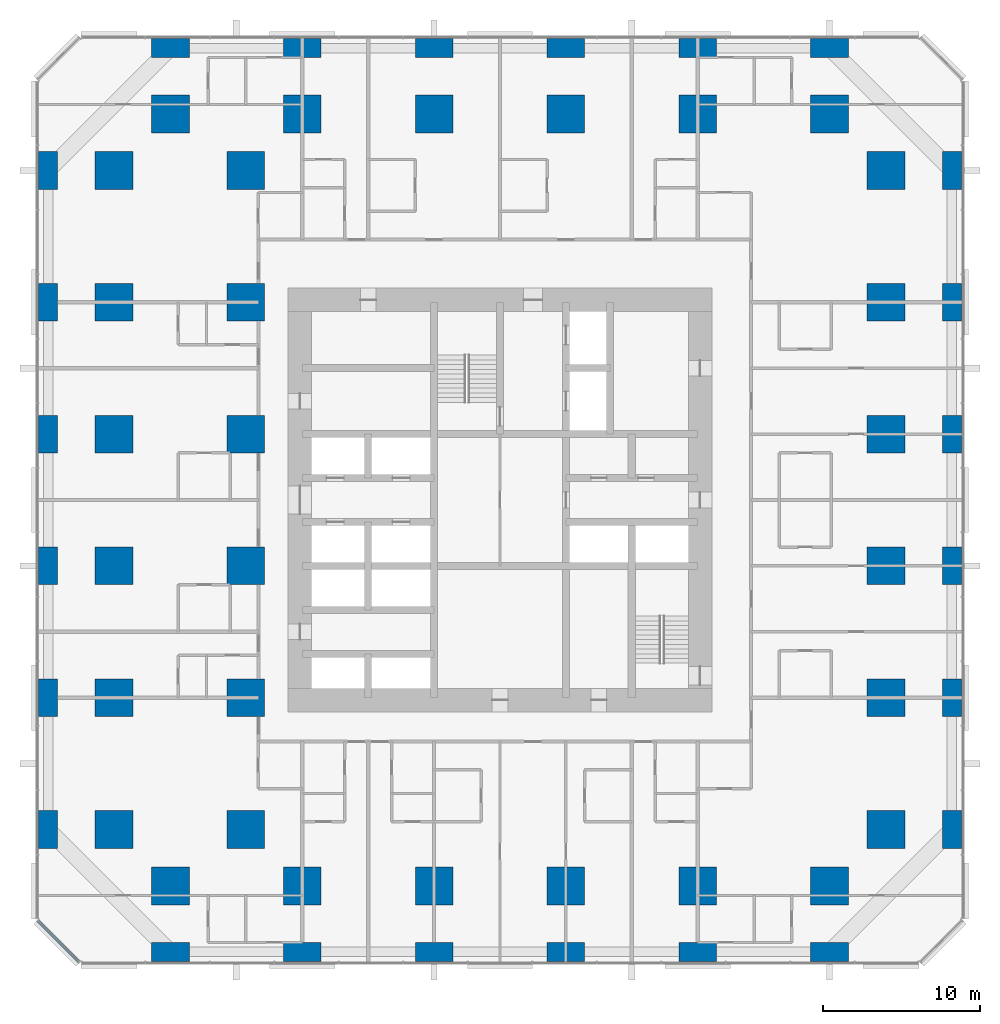
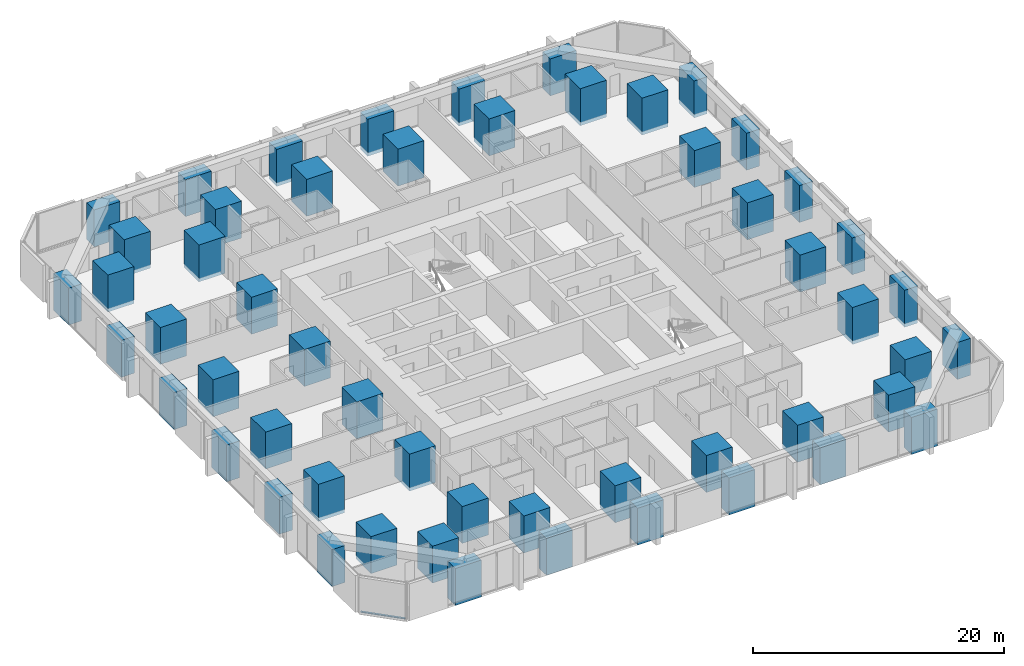
# One storey, part 1 of 17: 54 columns, 1 member, 1 element without a shape of its own.
"""IFC4 building model written with IfcOpenShell, lengths in metres."""

from ifc_helpers import new_model, si_unit, direction, frame, origin, origin_2d, place, context, subcontext, project, spatial, rectangle, extrude, material, material_profile, profile_set, type_object, element, aggregate, save


model = new_model("IFC4")

# Units and contexts
model_context = context("Model", 3, precision=1e-05, world=origin(), true_north=direction((0.0, 1.0)))
body_context = subcontext(model_context, "Body", "Model", "MODEL_VIEW")
ifc_project = project(units=[si_unit("LENGTHUNIT", "METRE"), si_unit("AREAUNIT", "SQUARE_METRE"), si_unit("VOLUMEUNIT", "CUBIC_METRE"), si_unit("PLANEANGLEUNIT", "RADIAN"), si_unit("MASSUNIT", "GRAM", prefix="KILO")], contexts=[model_context])

# Site, building, storey
site_placement = place(None, origin())
site = spatial("IfcSite", under=ifc_project, at=site_placement, CompositionType="ELEMENT")
building_placement = place(site_placement, origin())
building = spatial("IfcBuilding", under=site, at=building_placement, Name="Dunama Terrace Hotel", CompositionType="ELEMENT")
storey_placement = place(building_placement, frame((0.0, 0.0, 81.0)))
storey = spatial("IfcBuildingStorey", under=building, at=storey_placement, Name="L20", CompositionType="ELEMENT", Elevation=81.0)

# Columns
ifc_material_1 = material(Name="Concrete C60/75", Category="concrete")
ifc_material_profile_1 = material_profile(ifc_material_1, rectangle(XDim=1.199951171875, YDim=2.39990234375, at=origin_2d()), Name="RC 1200x2400")
ifc_profile_set_1 = profile_set([ifc_material_profile_1], Name="Concrete C60/75")
column_type_1 = type_object("IfcColumnType", Name="Column RC 1200x2400", PredefinedType="COLUMN", material=ifc_profile_set_1)
for number, where, z_axis, x_axis, name in (
    (1, (0.60009765625, 8.39990234375, -0.35009765625), (0.0, 0.0, 1.0), (1.0, 0.0, 0.0), "Column L20 +0.6/+8.4"),
    (2, (0.60009765625, 16.800048828125, -0.35009765625), (0.0, 0.0, 1.0), (1.0, 0.0, 0.0), "Column L20 +0.6/+16.8"),
    (3, (0.60009765625, 25.199951171875, -0.35009765625), (0.0, 0.0, 1.0), (1.0, 0.0, 0.0), "Column L20 +0.6/+25.2"),
    (4, (0.60009765625, 33.60009765625, -0.35009765625), (0.0, 0.0, 1.0), (1.0, 0.0, 0.0), "Column L20 +0.6/+33.6"),
    (5, (0.60009765625, 42.0, -0.35009765625), (0.0, 0.0, 1.0), (1.0, 0.0, 0.0), "Column L20 +0.6/+42.0"),
    (6, (0.60009765625, 50.39990234375, -0.35009765625), (0.0, 0.0, 1.0), (1.0, 0.0, 0.0), "Column L20 +0.6/+50.4"),
    (7, (58.199951171875, 8.39990234375, -0.35009765625), (0.0, 0.0, 1.0), (1.0, 0.0, 0.0), "Column L20 +58.2/+8.4"),
    (8, (58.199951171875, 16.800048828125, -0.35009765625), (0.0, 0.0, 1.0), (1.0, 0.0, 0.0), "Column L20 +58.2/+16.8"),
    (9, (58.199951171875, 25.199951171875, -0.35009765625), (0.0, 0.0, 1.0), (1.0, 0.0, 0.0), "Column L20 +58.2/+25.2"),
    (10, (58.199951171875, 33.60009765625, -0.35009765625), (0.0, 0.0, 1.0), (1.0, 0.0, 0.0), "Column L20 +58.2/+33.6"),
    (11, (58.199951171875, 42.0, -0.35009765625), (0.0, 0.0, 1.0), (1.0, 0.0, 0.0), "Column L20 +58.2/+42.0"),
    (12, (58.199951171875, 50.39990234375, -0.35009765625), (0.0, 0.0, 1.0), (1.0, 0.0, 0.0), "Column L20 +58.2/+50.4"),
):
    element("IfcColumn", number, at=place(storey_placement, frame(where, z_axis=z_axis, x_axis=x_axis)), inside=storey, type_object=column_type_1, Name=name, PredefinedType="COLUMN", context=body_context, shape_type="SweptSolid", body=[
        extrude(rectangle(XDim=1.199951171875, YDim=2.39990234375, at=origin_2d()), origin(), (0.0, 0.0, 1.0), 3.60009765625),
    ])
ifc_material_2 = material(Name="Concrete C60/75", Category="concrete")
ifc_material_profile_2 = material_profile(ifc_material_2, rectangle(XDim=2.39990234375, YDim=1.199951171875, at=origin_2d()), Name="RC 2400x1200")
ifc_profile_set_2 = profile_set([ifc_material_profile_2], Name="Concrete C60/75")
column_type_2 = type_object("IfcColumnType", Name="Column RC 2400x1200", PredefinedType="COLUMN", material=ifc_profile_set_2)
for number, where, z_axis, x_axis, name in (
    (13, (8.39990234375, 0.60009765625, -0.35009765625), (0.0, 0.0, 1.0), (1.0, 0.0, 0.0), "Column L20 +8.4/+0.6"),
    (14, (8.39990234375, 58.199951171875, -0.35009765625), (0.0, 0.0, 1.0), (1.0, 0.0, 0.0), "Column L20 +8.4/+58.2"),
    (15, (16.800048828125, 0.60009765625, -0.35009765625), (0.0, 0.0, 1.0), (1.0, 0.0, 0.0), "Column L20 +16.8/+0.6"),
    (16, (16.800048828125, 58.199951171875, -0.35009765625), (0.0, 0.0, 1.0), (1.0, 0.0, 0.0), "Column L20 +16.8/+58.2"),
    (17, (25.199951171875, 0.60009765625, -0.35009765625), (0.0, 0.0, 1.0), (1.0, 0.0, 0.0), "Column L20 +25.2/+0.6"),
    (18, (25.199951171875, 58.199951171875, -0.35009765625), (0.0, 0.0, 1.0), (1.0, 0.0, 0.0), "Column L20 +25.2/+58.2"),
    (19, (33.60009765625, 0.60009765625, -0.35009765625), (0.0, 0.0, 1.0), (1.0, 0.0, 0.0), "Column L20 +33.6/+0.6"),
    (20, (33.60009765625, 58.199951171875, -0.35009765625), (0.0, 0.0, 1.0), (1.0, 0.0, 0.0), "Column L20 +33.6/+58.2"),
    (21, (42.0, 0.60009765625, -0.35009765625), (0.0, 0.0, 1.0), (1.0, 0.0, 0.0), "Column L20 +42.0/+0.6"),
    (22, (42.0, 58.199951171875, -0.35009765625), (0.0, 0.0, 1.0), (1.0, 0.0, 0.0), "Column L20 +42.0/+58.2"),
    (23, (50.39990234375, 0.60009765625, -0.35009765625), (0.0, 0.0, 1.0), (1.0, 0.0, 0.0), "Column L20 +50.4/+0.6"),
    (24, (50.39990234375, 58.199951171875, -0.35009765625), (0.0, 0.0, 1.0), (1.0, 0.0, 0.0), "Column L20 +50.4/+58.2"),
):
    element("IfcColumn", number, at=place(storey_placement, frame(where, z_axis=z_axis, x_axis=x_axis)), inside=storey, type_object=column_type_2, Name=name, PredefinedType="COLUMN", context=body_context, shape_type="SweptSolid", body=[
        extrude(rectangle(XDim=2.39990234375, YDim=1.199951171875, at=origin_2d()), origin(), (0.0, 0.0, 1.0), 3.60009765625),
    ])
ifc_material_3 = material(Name="Concrete C60/75", Category="concrete")
ifc_material_profile_3 = material_profile(ifc_material_3, rectangle(XDim=2.39990234375, YDim=2.39990234375, at=origin_2d()), Name="RC 2400x2400")
ifc_profile_set_3 = profile_set([ifc_material_profile_3], Name="Concrete C60/75")
column_type_3 = type_object("IfcColumnType", Name="Column RC 2400x2400", PredefinedType="COLUMN", material=ifc_profile_set_3)
for number, where, z_axis, x_axis, name in (
    (25, (4.800048828125, 8.39990234375, -0.35009765625), (0.0, 0.0, 1.0), (1.0, 0.0, 0.0), "Column L20 +4.8/+8.4"),
    (26, (4.800048828125, 16.800048828125, -0.35009765625), (0.0, 0.0, 1.0), (1.0, 0.0, 0.0), "Column L20 +4.8/+16.8"),
    (27, (4.800048828125, 25.199951171875, -0.35009765625), (0.0, 0.0, 1.0), (1.0, 0.0, 0.0), "Column L20 +4.8/+25.2"),
    (28, (4.800048828125, 33.60009765625, -0.35009765625), (0.0, 0.0, 1.0), (1.0, 0.0, 0.0), "Column L20 +4.8/+33.6"),
    (29, (4.800048828125, 42.0, -0.35009765625), (0.0, 0.0, 1.0), (1.0, 0.0, 0.0), "Column L20 +4.8/+42.0"),
    (30, (4.800048828125, 50.39990234375, -0.35009765625), (0.0, 0.0, 1.0), (1.0, 0.0, 0.0), "Column L20 +4.8/+50.4"),
    (31, (8.39990234375, 4.800048828125, -0.35009765625), (0.0, 0.0, 1.0), (1.0, 0.0, 0.0), "Column L20 +8.4/+4.8"),
    (32, (8.39990234375, 54.0, -0.35009765625), (0.0, 0.0, 1.0), (1.0, 0.0, 0.0), "Column L20 +8.4/+54.0"),
    (33, (13.199951171875, 8.39990234375, -0.35009765625), (0.0, 0.0, 1.0), (1.0, 0.0, 0.0), "Column L20 +13.2/+8.4"),
    (34, (13.199951171875, 16.800048828125, -0.35009765625), (0.0, 0.0, 1.0), (1.0, 0.0, 0.0), "Column L20 +13.2/+16.8"),
    (35, (13.199951171875, 25.199951171875, -0.35009765625), (0.0, 0.0, 1.0), (1.0, 0.0, 0.0), "Column L20 +13.2/+25.2"),
    (36, (13.199951171875, 33.60009765625, -0.35009765625), (0.0, 0.0, 1.0), (1.0, 0.0, 0.0), "Column L20 +13.2/+33.6"),
    (37, (13.199951171875, 42.0, -0.35009765625), (0.0, 0.0, 1.0), (1.0, 0.0, 0.0), "Column L20 +13.2/+42.0"),
    (38, (13.199951171875, 50.39990234375, -0.35009765625), (0.0, 0.0, 1.0), (1.0, 0.0, 0.0), "Column L20 +13.2/+50.4"),
    (39, (16.800048828125, 4.800048828125, -0.35009765625), (0.0, 0.0, 1.0), (1.0, 0.0, 0.0), "Column L20 +16.8/+4.8"),
    (40, (16.800048828125, 54.0, -0.35009765625), (0.0, 0.0, 1.0), (1.0, 0.0, 0.0), "Column L20 +16.8/+54.0"),
    (41, (25.199951171875, 4.800048828125, -0.35009765625), (0.0, 0.0, 1.0), (1.0, 0.0, 0.0), "Column L20 +25.2/+4.8"),
    (42, (25.199951171875, 54.0, -0.35009765625), (0.0, 0.0, 1.0), (1.0, 0.0, 0.0), "Column L20 +25.2/+54.0"),
    (43, (33.60009765625, 4.800048828125, -0.35009765625), (0.0, 0.0, 1.0), (1.0, 0.0, 0.0), "Column L20 +33.6/+4.8"),
    (44, (33.60009765625, 54.0, -0.35009765625), (0.0, 0.0, 1.0), (1.0, 0.0, 0.0), "Column L20 +33.6/+54.0"),
    (45, (42.0, 4.800048828125, -0.35009765625), (0.0, 0.0, 1.0), (1.0, 0.0, 0.0), "Column L20 +42.0/+4.8"),
    (46, (42.0, 54.0, -0.35009765625), (0.0, 0.0, 1.0), (1.0, 0.0, 0.0), "Column L20 +42.0/+54.0"),
    (47, (50.39990234375, 4.800048828125, -0.35009765625), (0.0, 0.0, 1.0), (1.0, 0.0, 0.0), "Column L20 +50.4/+4.8"),
    (48, (50.39990234375, 54.0, -0.35009765625), (0.0, 0.0, 1.0), (1.0, 0.0, 0.0), "Column L20 +50.4/+54.0"),
    (49, (54.0, 8.39990234375, -0.35009765625), (0.0, 0.0, 1.0), (1.0, 0.0, 0.0), "Column L20 +54.0/+8.4"),
    (50, (54.0, 16.800048828125, -0.35009765625), (0.0, 0.0, 1.0), (1.0, 0.0, 0.0), "Column L20 +54.0/+16.8"),
    (51, (54.0, 25.199951171875, -0.35009765625), (0.0, 0.0, 1.0), (1.0, 0.0, 0.0), "Column L20 +54.0/+25.2"),
    (52, (54.0, 33.60009765625, -0.35009765625), (0.0, 0.0, 1.0), (1.0, 0.0, 0.0), "Column L20 +54.0/+33.6"),
    (53, (54.0, 42.0, -0.35009765625), (0.0, 0.0, 1.0), (1.0, 0.0, 0.0), "Column L20 +54.0/+42.0"),
    (54, (54.0, 50.39990234375, -0.35009765625), (0.0, 0.0, 1.0), (1.0, 0.0, 0.0), "Column L20 +54.0/+50.4"),
):
    element("IfcColumn", number, at=place(storey_placement, frame(where, z_axis=z_axis, x_axis=x_axis)), inside=storey, type_object=column_type_3, Name=name, PredefinedType="COLUMN", context=body_context, shape_type="SweptSolid", body=[
        extrude(rectangle(XDim=2.39990234375, YDim=2.39990234375, at=origin_2d()), origin(), (0.0, 0.0, 1.0), 3.60009765625),
    ])

# Curtain wall, member
ifc_material_4 = material(Name="Aluminium curtain wall system", Category="aluminium")
curtain_wall_type = type_object("IfcCurtainWallType", Name="Unitised fritted glass wall CW-A", PredefinedType="NOTDEFINED", material=ifc_material_4)
curtain_wall_placement = place(storey_placement, origin())
curtain_wall = element("IfcCurtainWall", 55, at=curtain_wall_placement, inside=storey, type_object=curtain_wall_type, Name="Unitised fritted glass wall CW-A L20", PredefinedType="NOTDEFINED")
ifc_material_5 = material(Name="Aluminium transom", Category="aluminium")
ifc_material_profile_4 = material_profile(ifc_material_5, rectangle(XDim=0.179931640625, YDim=0.074951171875, at=origin_2d()), Name="CWA TRANSOM 180X75")
ifc_profile_set_4 = profile_set([ifc_material_profile_4], Name="Aluminium transom")
member_type = type_object("IfcMemberType", Name="CWA transom 180x75", PredefinedType="USERDEFINED", material=ifc_profile_set_4)
member_placement = place(storey_placement, frame((-0.02490234375, 2.5830078125, 0.03759765625), z_axis=(0.707106781187, -0.707106781187, 0.0), x_axis=(0.707106781187, 0.707106781187, 0.0)))
member = element("IfcMember", 56, at=member_placement, type_object=member_type, Name="CWA transom", ObjectType="TRANSOM", PredefinedType="USERDEFINED", context=body_context, shape_type="SweptSolid", body=[
    extrude(rectangle(XDim=0.179931640625, YDim=0.074951171875, at=origin_2d()), origin(), (0.0, 0.0, 1.0), 3.688232421875),
])
aggregate(curtain_wall, [member])

save(model, "model.ifc")
